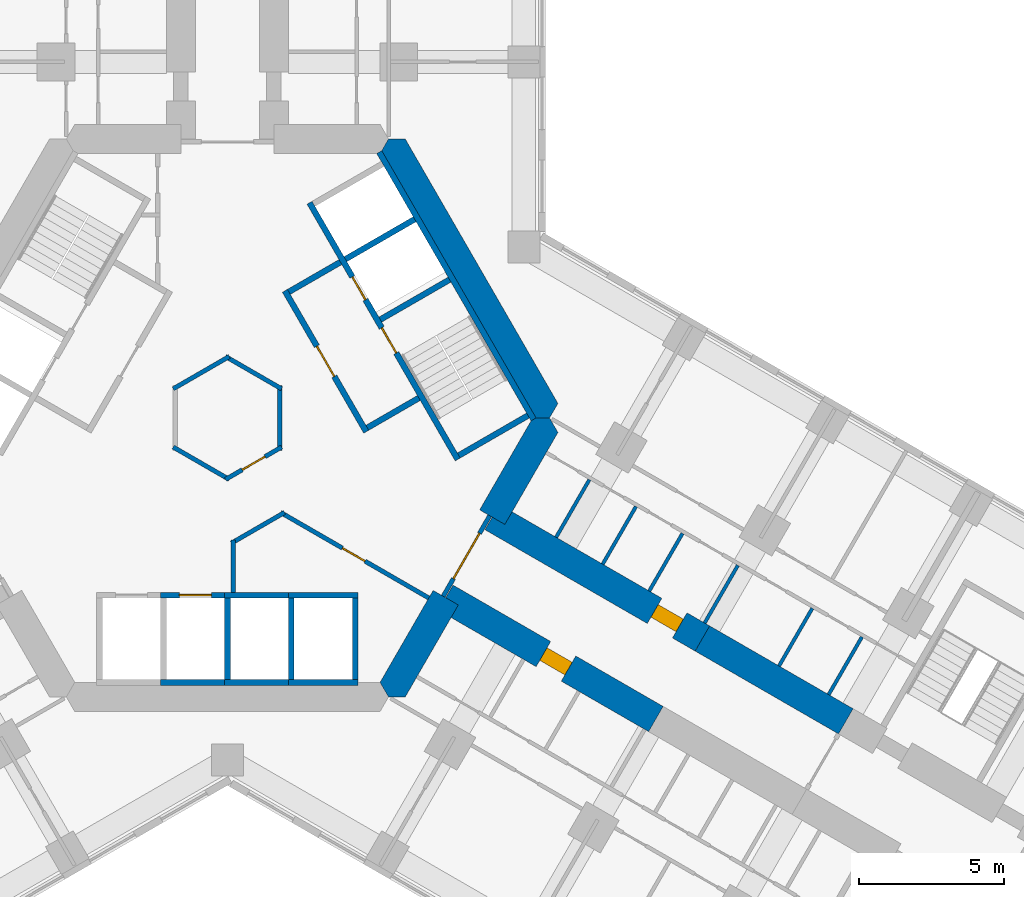
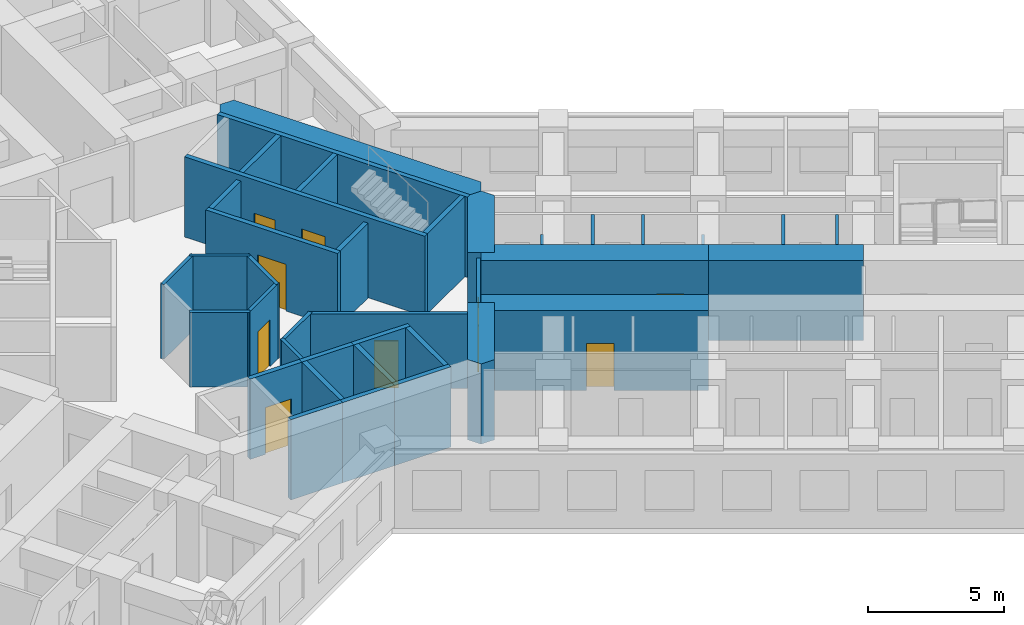
# One storey, part 15 of 21: 38 walls, 9 doors, 9 openings.
"""IFC4 building model written with IfcOpenShell, lengths in metres."""

from ifc_helpers import new_model, si_unit, direction, frame, frame_2d, origin, place, context, subcontext, project, spatial, polyline, rectangle, outline, extrude, material, layer, layer_set, type_object, element, fill, save


model = new_model("IFC4")

# Units and contexts
model_context = context("Model", 3, precision=1e-05, world=origin(), true_north=direction((0.0, 1.0)))
body_context = subcontext(model_context, "Body", "Model", "MODEL_VIEW")
ifc_project = project(units=[si_unit("LENGTHUNIT", "METRE"), si_unit("AREAUNIT", "SQUARE_METRE"), si_unit("VOLUMEUNIT", "CUBIC_METRE"), si_unit("PLANEANGLEUNIT", "RADIAN"), si_unit("MASSUNIT", "GRAM", prefix="KILO")], contexts=[model_context])

# Site, building, storey
site_placement = place(None, origin())
site = spatial("IfcSite", under=ifc_project, at=site_placement, CompositionType="ELEMENT")
building_placement = place(site_placement, origin())
building = spatial("IfcBuilding", under=site, at=building_placement, Name="Kosmar Iwan School Tower", CompositionType="ELEMENT")
storey_placement = place(building_placement, frame((0.0, 0.0, 43.0)))
storey = spatial("IfcBuildingStorey", under=building, at=storey_placement, Name="L09", CompositionType="ELEMENT", Elevation=43.0)

# Wall, opening, door
ifc_material_1 = material(Name="Gypsum board on steel studs, fire-rated", Category="steel")
ifc_layer_1 = layer(ifc_material_1, 0.14990234375)
ifc_layer_set_1 = layer_set([ifc_layer_1], Name="Core room partition 150")
wall_type_1 = type_object("IfcWallType", Name="Core room partition 150", PredefinedType="PARTITIONING", material=ifc_layer_set_1)
wall_1_placement = place(storey_placement, frame((1.864990234375, -1.001708984375, 0.0), z_axis=(0.0, 0.0, 1.0), x_axis=(-0.866023215828, -0.500003789632, 0.0)))
wall_1 = element("IfcWall", 1, at=wall_1_placement, inside=storey, type_object=wall_type_1, Name="Core room partition L09-CW4", PredefinedType="PARTITIONING", context=body_context, shape_type="SweptSolid", body=[
    extrude(rectangle(XDim=2.228515625, YDim=0.14990234375, at=frame_2d((1.1142578125, 0.0))), origin(), (0.0, 0.0, 1.0), 3.35009765625),
])
opening_1_placement = place(wall_1_placement, frame((0.6640625, 0.0, 0.0)))
opening_1 = element("IfcOpeningElement", 2, at=opening_1_placement, cuts=wall_1, Name="Opening D14", PredefinedType="OPENING", context=body_context, shape_type="SweptSolid", body=[
    extrude(rectangle(XDim=0.89990234375, YDim=2.10009765625, at=frame_2d((0.449951171875, 1.050048828125))), frame((0.0, 0.0869140625, 0.0), z_axis=(0.0, -1.0, 0.0), x_axis=(1.0, 0.0, 0.0)), (0.0, 0.0, 1.0), 0.173828125),
])
ifc_material_2 = material(Name="Timber fire door in steel frame", Category="steel")
door_type_1 = type_object("IfcDoorType", Name="Core room door 900x2100", OperationType="SINGLE_SWING_LEFT", PredefinedType="DOOR", material=ifc_material_2)
door_1_placement = place(opening_1_placement, origin())
door_1 = element("IfcDoor", 3, at=door_1_placement, inside=storey, type_object=door_type_1, Name="Pram and buggy store door L09 3", OperationType="SINGLE_SWING_RIGHT", OverallHeight=2.10009765625, OverallWidth=0.89990234375, PredefinedType="DOOR", context=body_context, shape_type="SweptSolid", body=[
    extrude(rectangle(XDim=0.89990234375, YDim=2.10009765625, at=frame_2d((0.449951171875, 1.050048828125))), frame((0.0, 0.02490234375, 0.0), z_axis=(0.0, -1.0, 0.0), x_axis=(1.0, 0.0, 0.0)), (0.0, 0.0, 1.0), 0.050048828125),
])
fill(opening_1, door_1)

# Walls
for number, where, z_axis, x_axis, name in (
    (4, (0.06494140625, -2.115966796875, 0.0), (0.0, 0.0, 1.0), (-0.866023215828, 0.500003789632, 0.0), "Core room partition L09-CW5"),
    (5, (-1.864990234375, 1.001708984375, 0.0), (0.0, 0.0, 1.0), (0.866023215828, 0.500003789632, 0.0), "Core room partition L09-CW7"),
    (6, (-0.06494140625, 2.115966796875, 0.0), (0.0, 0.0, 1.0), (0.866023215828, -0.500003789632, 0.0), "Core room partition L09-CW8"),
    (7, (1.800048828125, 1.1142578125, 0.0), (0.0, 0.0, 1.0), (0.0, -1.0, 0.0), "Core room partition L09-CW9"),
):
    element("IfcWall", number, at=place(storey_placement, frame(where, z_axis=z_axis, x_axis=x_axis)), inside=storey, type_object=wall_type_1, Name=name, PredefinedType="PARTITIONING", context=body_context, shape_type="SweptSolid", body=[
        extrude(rectangle(XDim=2.228515625, YDim=0.14990234375, at=frame_2d((1.1142578125, 0.0))), origin(), (0.0, 0.0, 1.0), 3.35009765625),
    ])
wall_2_placement = place(storey_placement, frame((0.199951171875, -6.0048828125, 0.0), z_axis=(0.0, 0.0, 1.0), x_axis=(0.0, 1.0, 0.0)))
element("IfcWall", 8, at=wall_2_placement, inside=storey, type_object=wall_type_1, Name="Core room partition L09-CW10", PredefinedType="PARTITIONING", context=body_context, shape_type="SweptSolid", body=[
    extrude(rectangle(XDim=1.807373046875, YDim=0.14990234375, at=frame_2d((0.90380859375, 0.0))), origin(), (0.0, 0.0, 1.0), 3.35009765625),
])
wall_3_placement = place(storey_placement, frame((0.135009765625, -4.309814453125, 0.0), z_axis=(0.0, 0.0, 1.0), x_axis=(0.866037425094, 0.499979177903, 0.0)))
element("IfcWall", 9, at=wall_3_placement, inside=storey, type_object=wall_type_1, Name="Core room partition L09-CW11", PredefinedType="PARTITIONING", context=body_context, shape_type="SweptSolid", body=[
    extrude(rectangle(XDim=2.11279296875, YDim=0.14990234375, at=frame_2d((1.056396484375, 0.0))), origin(), (0.0, 0.0, 1.0), 3.35009765625),
])

# Wall, opening, door
wall_4_placement = place(storey_placement, frame((1.8349609375, -3.25341796875, 0.0), z_axis=(0.0, 0.0, 1.0), x_axis=(0.866025981722, -0.499998998981, 0.0)))
wall_4 = element("IfcWall", 10, at=wall_4_placement, inside=storey, type_object=wall_type_1, Name="Core room partition L09-CW12", PredefinedType="PARTITIONING", context=body_context, shape_type="SweptSolid", body=[
    extrude(rectangle(XDim=5.88427734375, YDim=0.14990234375, at=frame_2d((2.942138671875, 0.0))), origin(), (0.0, 0.0, 1.0), 3.35009765625),
])
opening_2_placement = place(wall_4_placement, frame((2.449951171875, 0.0, 0.0)))
opening_2 = element("IfcOpeningElement", 11, at=opening_2_placement, cuts=wall_4, Name="Opening D14", PredefinedType="OPENING", context=body_context, shape_type="SweptSolid", body=[
    extrude(rectangle(XDim=0.89990234375, YDim=2.10009765625, at=frame_2d((0.449951171875, 1.050048828125))), frame((0.0, 0.0869140625, 0.0), z_axis=(0.0, -1.0, 0.0), x_axis=(1.0, 0.0, 0.0)), (0.0, 0.0, 1.0), 0.173828125),
])
door_2_placement = place(opening_2_placement, origin())
door_2 = element("IfcDoor", 12, at=door_2_placement, inside=storey, type_object=door_type_1, Name="Bicycle repair room door L09 4", OperationType="SINGLE_SWING_LEFT", OverallHeight=2.10009765625, OverallWidth=0.89990234375, PredefinedType="DOOR", context=body_context, shape_type="SweptSolid", body=[
    extrude(rectangle(XDim=0.89990234375, YDim=2.10009765625, at=frame_2d((0.449951171875, 1.050048828125))), frame((0.0, 0.02490234375, 0.0), z_axis=(0.0, -1.0, 0.0), x_axis=(1.0, 0.0, 0.0)), (0.0, 0.0, 1.0), 0.050048828125),
])
fill(opening_2, door_2)

# Walls
ifc_material_3 = material(Name="Concrete C50/60", Category="concrete")
ifc_layer_2 = layer(ifc_material_3, 1.0)
ifc_layer_set_2 = layer_set([ifc_layer_2], Name="Core wall 1000")
wall_type_2 = type_object("IfcWallType", Name="Core wall 1000", PredefinedType="SHEAR", material=ifc_layer_set_2)
wall_5_placement = place(storey_placement, origin())
element("IfcWall", 13, at=wall_5_placement, inside=storey, type_object=wall_type_2, Name="Core wall F030", PredefinedType="SHEAR", context=body_context, shape_type="SweptSolid", body=[
    extrude(outline(polyline([(10.5078125, 0.0), (11.085205078125, 0.0), (11.373779296875, 0.5), (6.119873046875, 9.60009765625), (5.54248046875, 9.60009765625), (5.25390625, 9.10009765625), (10.5078125, 0.0)])), origin(), (0.0, 0.0, 1.0), 3.60009765625),
])
wall_6_placement = place(storey_placement, origin())
element("IfcWall", 14, at=wall_6_placement, inside=storey, type_object=wall_type_2, Name="Core wall F330a", PredefinedType="SHEAR", context=body_context, shape_type="SweptSolid", body=[
    extrude(outline(polyline([(5.54248046875, -9.60009765625), (6.119873046875, -9.60009765625), (7.94677734375, -6.435546875), (7.080810546875, -5.935546875), (5.25390625, -9.10009765625), (5.54248046875, -9.60009765625)])), origin(), (0.0, 0.0, 1.0), 3.60009765625),
])
wall_7_placement = place(storey_placement, origin())
element("IfcWall", 15, at=wall_7_placement, inside=storey, type_object=wall_type_2, Name="Core wall F330b", PredefinedType="SHEAR", context=body_context, shape_type="SweptSolid", body=[
    extrude(outline(polyline([(9.546875, -3.664306640625), (11.373779296875, -0.5), (11.085205078125, 0.0), (10.5078125, 0.0), (8.680908203125, -3.164306640625), (9.546875, -3.664306640625)])), origin(), (0.0, 0.0, 1.0), 3.60009765625),
])

# Wall, opening, door
ifc_material_4 = material(Name="Concrete C50/60", Category="concrete")
ifc_layer_3 = layer(ifc_material_4, 1.0)
ifc_layer_set_3 = layer_set([ifc_layer_3], Name="Corridor buttress wall 1000")
wall_type_3 = type_object("IfcWallType", Name="Corridor buttress wall 1000", PredefinedType="SHEAR", material=ifc_layer_set_3)
wall_8_placement = place(storey_placement, frame((9.11376953125, -3.414306640625, 0.0), z_axis=(0.0, 0.0, 1.0), x_axis=(0.866026859388, -0.499997478812, 0.0)))
wall_8 = element("IfcWall", 16, at=wall_8_placement, inside=storey, type_object=wall_type_3, Name="Corridor wall CL", PredefinedType="SHEAR", context=body_context, shape_type="SweptSolid", body=[
    extrude(rectangle(XDim=8.35009765625, YDim=1.0, at=frame_2d((4.175048828125, 0.0))), origin(), (0.0, 0.0, 1.0), 3.60009765625),
])
opening_3_placement = place(wall_8_placement, frame((6.449951171875, 0.0, 0.0)))
opening_3 = element("IfcOpeningElement", 17, at=opening_3_placement, cuts=wall_8, Name="Opening D1", PredefinedType="OPENING", context=body_context, shape_type="SweptSolid", body=[
    extrude(rectangle(XDim=1.0, YDim=2.10009765625, at=frame_2d((0.5, 1.050048828125))), frame((0.0, 0.511962890625, 0.0), z_axis=(0.0, -1.0, 0.0), x_axis=(1.0, 0.0, 0.0)), (0.0, 0.0, 1.0), 1.02392578125),
])
ifc_material_5 = material(Name="Timber fire door in steel frame", Category="steel")
door_type_2 = type_object("IfcDoorType", Name="Flat entrance door 1000x2100", OperationType="SINGLE_SWING_LEFT", PredefinedType="DOOR", material=ifc_material_5)
door_3_placement = place(opening_3_placement, origin())
door_3 = element("IfcDoor", 18, at=door_3_placement, inside=storey, type_object=door_type_2, Name="Flat L09-CL1 entrance door", OperationType="SINGLE_SWING_LEFT", OverallHeight=2.10009765625, OverallWidth=1.0, PredefinedType="DOOR", context=body_context, shape_type="SweptSolid", body=[
    extrude(rectangle(XDim=1.0, YDim=2.10009765625, at=frame_2d((0.5, 1.050048828125))), frame((0.0, 0.25, 0.0), z_axis=(0.0, -1.0, 0.0), x_axis=(1.0, 0.0, 0.0)), (0.0, 0.0, 1.0), 0.5),
])
fill(opening_3, door_3)

# Wall
wall_9_placement = place(storey_placement, frame((16.34521484375, -7.58935546875, 0.0), z_axis=(0.0, 0.0, 1.0), x_axis=(0.866015111908, -0.50001782563, 0.0)))
element("IfcWall", 19, at=wall_9_placement, inside=storey, type_object=wall_type_3, Name="Corridor wall CL bay 2", PredefinedType="SHEAR", context=body_context, shape_type="SweptSolid", body=[
    extrude(rectangle(XDim=5.699951171875, YDim=1.0, at=frame_2d((2.85009765625, 0.0))), origin(), (0.0, 0.0, 1.0), 3.60009765625),
])

# Wall, opening, door
wall_10_placement = place(storey_placement, frame((7.513916015625, -6.185546875, 0.0), z_axis=(0.0, 0.0, 1.0), x_axis=(0.866019549707, -0.500010139422, 0.0)))
wall_10 = element("IfcWall", 20, at=wall_10_placement, inside=storey, type_object=wall_type_3, Name="Corridor wall CR", PredefinedType="SHEAR", context=body_context, shape_type="SweptSolid", body=[
    extrude(rectangle(XDim=8.349853515625, YDim=1.0, at=frame_2d((4.1748046875, 0.0))), origin(), (0.0, 0.0, 1.0), 3.60009765625),
])
opening_4_placement = place(wall_10_placement, frame((3.8798828125, 0.0, 0.0)))
opening_4 = element("IfcOpeningElement", 21, at=opening_4_placement, cuts=wall_10, Name="Opening D1", PredefinedType="OPENING", context=body_context, shape_type="SweptSolid", body=[
    extrude(rectangle(XDim=1.0, YDim=2.10009765625, at=frame_2d((0.5, 1.050048828125))), frame((0.0, 0.511962890625, 0.0), z_axis=(0.0, -1.0, 0.0), x_axis=(1.0, 0.0, 0.0)), (0.0, 0.0, 1.0), 1.02392578125),
])
door_4_placement = place(opening_4_placement, origin())
door_4 = element("IfcDoor", 22, at=door_4_placement, inside=storey, type_object=door_type_2, Name="Flat L09-CR1 entrance door", OperationType="SINGLE_SWING_RIGHT", OverallHeight=2.10009765625, OverallWidth=1.0, PredefinedType="DOOR", context=body_context, shape_type="SweptSolid", body=[
    extrude(rectangle(XDim=1.0, YDim=2.10009765625, at=frame_2d((0.5, 1.050048828125))), frame((0.0, 0.25, 0.0), z_axis=(0.0, -1.0, 0.0), x_axis=(1.0, 0.0, 0.0)), (0.0, 0.0, 1.0), 0.5),
])
fill(opening_4, door_4)

ifc_material_6 = material(Name="Steel framed glazed screen", Category="steel")
ifc_layer_4 = layer(ifc_material_6, 0.14990234375)
ifc_layer_set_4 = layer_set([ifc_layer_4], Name="Corridor screen wall 150")
wall_type_4 = type_object("IfcWallType", Name="Corridor screen wall 150", PredefinedType="PARTITIONING", material=ifc_layer_set_4)
wall_11_placement = place(storey_placement, frame((7.42724609375, -6.1357421875, 0.0), z_axis=(0.0, 0.0, 1.0), x_axis=(0.499995408039, 0.866028054938, 0.0)))
wall_11 = element("IfcWall", 23, at=wall_11_placement, inside=storey, type_object=wall_type_4, Name="Corridor screen C L09", PredefinedType="PARTITIONING", context=body_context, shape_type="SweptSolid", body=[
    extrude(rectangle(XDim=3.2001953125, YDim=0.14990234375, at=frame_2d((1.60009765625, 0.0))), origin(), (0.0, 0.0, 1.0), 3.35009765625),
])
opening_5_placement = place(wall_11_placement, frame((0.699951171875, 0.0, 0.0)))
opening_5 = element("IfcOpeningElement", 24, at=opening_5_placement, cuts=wall_11, Name="Opening D9", PredefinedType="OPENING", context=body_context, shape_type="SweptSolid", body=[
    extrude(rectangle(XDim=1.800048828125, YDim=2.10009765625, at=frame_2d((0.89990234375, 1.050048828125))), frame((0.0, 0.0869140625, 0.0), z_axis=(0.0, -1.0, 0.0), x_axis=(1.0, 0.0, 0.0)), (0.0, 0.0, 1.0), 0.173828125),
])
ifc_material_7 = material(Name="Steel framed glazed smoke door", Category="steel")
door_type_3 = type_object("IfcDoorType", Name="Corridor smoke door pair 1800x2100", OperationType="DOUBLE_DOOR_DOUBLE_SWING", PredefinedType="DOOR", material=ifc_material_7)
door_5_placement = place(opening_5_placement, origin())
door_5 = element("IfcDoor", 25, at=door_5_placement, inside=storey, type_object=door_type_3, Name="Corridor doors C L09", OperationType="DOUBLE_DOOR_DOUBLE_SWING", OverallHeight=2.10009765625, OverallWidth=1.800048828125, PredefinedType="DOOR", context=body_context, shape_type="SweptSolid", body=[
    extrude(rectangle(XDim=1.800048828125, YDim=2.10009765625, at=frame_2d((0.89990234375, 1.050048828125))), frame((0.0, 0.02490234375, 0.0), z_axis=(0.0, -1.0, 0.0), x_axis=(1.0, 0.0, 0.0)), (0.0, 0.0, 1.0), 0.050048828125),
])
fill(opening_5, door_5)

# Walls
ifc_material_8 = material(Name="Gypsum board on steel studs", Category="steel")
ifc_layer_5 = layer(ifc_material_8, 0.1201171875)
ifc_layer_set_5 = layer_set([ifc_layer_5], Name="Dwelling partition 120")
wall_type_5 = type_object("IfcWallType", Name="Dwelling partition 120", PredefinedType="PARTITIONING", material=ifc_layer_set_5)
wall_12_placement = place(storey_placement, frame((11.3125, -4.1064453125, 0.0), z_axis=(0.0, 0.0, 1.0), x_axis=(0.499968531483, 0.866043571379, 0.0)))
element("IfcWall", 26, at=wall_12_placement, inside=storey, type_object=wall_type_5, Name="Partition L09-CL1-Y1", PredefinedType="PARTITIONING", context=body_context, shape_type="SweptSolid", body=[
    extrude(rectangle(XDim=2.290283203125, YDim=0.1201171875, at=frame_2d((1.14501953125, 0.0))), origin(), (0.0, 0.0, 1.0), 2.449951171875),
])
for number, where, z_axis, x_axis, name in (
    (27, (12.91455078125, -5.03125, 0.0), (0.0, 0.0, 1.0), (0.500014693593, 0.866016920268, 0.0), "Partition L09-CL1-Y2"),
    (28, (14.5166015625, -5.956298828125, 0.0), (0.0, 0.0, 1.0), (0.500014693593, 0.866016920268, 0.0), "Partition L09-CL1-Y3"),
):
    element("IfcWall", number, at=place(storey_placement, frame(where, z_axis=z_axis, x_axis=x_axis)), inside=storey, type_object=wall_type_5, Name=name, PredefinedType="PARTITIONING", context=body_context, shape_type="SweptSolid", body=[
        extrude(rectangle(XDim=2.2900390625, YDim=0.1201171875, at=frame_2d((1.14501953125, 0.0))), origin(), (0.0, 0.0, 1.0), 3.35009765625),
    ])
wall_13_placement = place(storey_placement, frame((16.421875, -7.056396484375, 0.0), z_axis=(0.0, 0.0, 1.0), x_axis=(0.500014693593, 0.866016920268, 0.0)))
element("IfcWall", 29, at=wall_13_placement, inside=storey, type_object=wall_type_5, Name="Partition L09-CL1-Y4", PredefinedType="PARTITIONING", context=body_context, shape_type="SweptSolid", body=[
    extrude(rectangle(XDim=2.2900390625, YDim=0.1201171875, at=frame_2d((1.14501953125, 0.0))), origin(), (0.0, 0.0, 1.0), 2.449951171875),
])
wall_14_placement = place(storey_placement, frame((18.98291015625, -8.534912109375, 0.0), z_axis=(0.0, 0.0, 1.0), x_axis=(0.500014693593, 0.866016920268, 0.0)))
element("IfcWall", 30, at=wall_14_placement, inside=storey, type_object=wall_type_5, Name="Partition L09-CL1-Y5", PredefinedType="PARTITIONING", context=body_context, shape_type="SweptSolid", body=[
    extrude(rectangle(XDim=2.2900390625, YDim=0.1201171875, at=frame_2d((1.14501953125, 0.0))), origin(), (0.0, 0.0, 1.0), 3.35009765625),
])
wall_15_placement = place(storey_placement, frame((20.690185546875, -9.520751953125, 0.0), z_axis=(0.0, 0.0, 1.0), x_axis=(0.499968531483, 0.866043571379, 0.0)))
element("IfcWall", 31, at=wall_15_placement, inside=storey, type_object=wall_type_5, Name="Partition L09-CL1-Y6", PredefinedType="PARTITIONING", context=body_context, shape_type="SweptSolid", body=[
    extrude(rectangle(XDim=2.290283203125, YDim=0.1201171875, at=frame_2d((1.14501953125, 0.0))), origin(), (0.0, 0.0, 1.0), 3.35009765625),
])

# Wall, opening, door
ifc_material_9 = material(Name="Concrete block masonry", Category="masonry")
ifc_layer_6 = layer(ifc_material_9, 0.199951171875)
ifc_layer_set_6 = layer_set([ifc_layer_6], Name="Fire lobby wall 200")
wall_type_6 = type_object("IfcWallType", Name="Fire lobby wall 200", PredefinedType="PARTITIONING", material=ifc_layer_set_6)
wall_16_placement = place(storey_placement, frame((4.777587890625, -0.474853515625, 0.0), z_axis=(0.0, 0.0, 1.0), x_axis=(-0.500016814911, 0.866015695474, 0.0)))
wall_16 = element("IfcWall", 32, at=wall_16_placement, inside=storey, type_object=wall_type_6, Name="Firefighting lobby wall ST1", PredefinedType="PARTITIONING", context=body_context, shape_type="SweptSolid", body=[
    extrude(rectangle(XDim=5.599853515625, YDim=0.199951171875, at=frame_2d((2.7998046875, 0.0))), origin(), (0.0, 0.0, 1.0), 3.35009765625),
])
opening_6_placement = place(wall_16_placement, frame((2.199951171875, 0.0, 0.0)))
opening_6 = element("IfcOpeningElement", 33, at=opening_6_placement, cuts=wall_16, Name="Opening D7", PredefinedType="OPENING", context=body_context, shape_type="SweptSolid", body=[
    extrude(rectangle(XDim=1.199951171875, YDim=2.10009765625, at=frame_2d((0.60009765625, 1.050048828125))), frame((0.0, 0.112060546875, 0.0), z_axis=(0.0, -1.0, 0.0), x_axis=(1.0, 0.0, 0.0)), (0.0, 0.0, 1.0), 0.223876953125),
])
ifc_material_10 = material(Name="Steel fire door", Category="steel")
door_type_4 = type_object("IfcDoorType", Name="Fire lobby door 1200x2100", OperationType="SINGLE_SWING_LEFT", PredefinedType="DOOR", material=ifc_material_10)
door_6_placement = place(opening_6_placement, origin())
door_6 = element("IfcDoor", 34, at=door_6_placement, inside=storey, type_object=door_type_4, Name="Firefighting lobby door ST1 L09", OperationType="SINGLE_SWING_RIGHT", OverallHeight=2.10009765625, OverallWidth=1.199951171875, PredefinedType="DOOR", context=body_context, shape_type="SweptSolid", body=[
    extrude(rectangle(XDim=1.199951171875, YDim=2.10009765625, at=frame_2d((0.60009765625, 1.050048828125))), frame((0.0, 0.02490234375, 0.0), z_axis=(0.0, -1.0, 0.0), x_axis=(1.0, 0.0, 0.0)), (0.0, 0.0, 1.0), 0.050048828125),
])
fill(opening_6, door_6)

# Walls
wall_17_placement = place(storey_placement, frame((4.814208984375, -0.33837890625, 0.0), z_axis=(0.0, 0.0, 1.0), x_axis=(0.865969381856, 0.500097020274, 0.0)))
element("IfcWall", 35, at=wall_17_placement, inside=storey, type_object=wall_type_6, Name="Firefighting lobby wall ST1", PredefinedType="PARTITIONING", context=body_context, shape_type="SweptSolid", body=[
    extrude(rectangle(XDim=2.0498046875, YDim=0.199951171875, at=frame_2d((1.02490234375, 0.0))), origin(), (0.0, 0.0, 1.0), 3.35009765625),
])
wall_18_placement = place(storey_placement, frame((2.114013671875, 4.33837890625, 0.0), z_axis=(0.0, 0.0, 1.0), x_axis=(0.866050731258, 0.499956128963, 0.0)))
element("IfcWall", 36, at=wall_18_placement, inside=storey, type_object=wall_type_6, Name="Firefighting lobby wall ST1", PredefinedType="PARTITIONING", context=body_context, shape_type="SweptSolid", body=[
    extrude(rectangle(XDim=2.050048828125, YDim=0.199951171875, at=frame_2d((1.02490234375, 0.0))), origin(), (0.0, 0.0, 1.0), 3.35009765625),
])

# Wall, openings, doors
ifc_material_11 = material(Name="Concrete C50/60", Category="concrete")
ifc_layer_7 = layer(ifc_material_11, 0.199951171875)
ifc_layer_set_7 = layer_set([ifc_layer_7], Name="Lift shaft wall 200")
wall_type_7 = type_object("IfcWallType", Name="Lift shaft wall 200", PredefinedType="SHEAR", material=ifc_layer_set_7)
wall_19_placement = place(storey_placement, frame((7.926025390625, -1.42822265625, 0.0), z_axis=(0.0, 0.0, 1.0), x_axis=(-0.499998023675, 0.866026544813, 0.0)))
wall_19 = element("IfcWall", 37, at=wall_19_placement, inside=storey, type_object=wall_type_7, Name="Lift and stair front wall AC", PredefinedType="SHEAR", context=body_context, shape_type="SweptSolid", body=[
    extrude(rectangle(XDim=10.19970703125, YDim=0.199951171875, at=frame_2d((5.099853515625, 0.0))), origin(), (0.0, 0.0, 1.0), 3.60009765625),
])
opening_7_placement = place(wall_19_placement, frame((6.35009765625, 0.0, 0.0)))
opening_7 = element("IfcOpeningElement", 38, at=opening_7_placement, cuts=wall_19, Name="Opening LD2", PredefinedType="OPENING", context=body_context, shape_type="SweptSolid", body=[
    extrude(rectangle(XDim=0.89990234375, YDim=2.10009765625, at=frame_2d((0.449951171875, 1.050048828125))), frame((0.0, 0.112060546875, 0.0), z_axis=(0.0, -1.0, 0.0), x_axis=(1.0, 0.0, 0.0)), (0.0, 0.0, 1.0), 0.223876953125),
])
opening_8_placement = place(wall_19_placement, frame((4.22998046875, 0.0, 0.0)))
opening_8 = element("IfcOpeningElement", 39, at=opening_8_placement, cuts=wall_19, Name="Opening D6", PredefinedType="OPENING", context=body_context, shape_type="SweptSolid", body=[
    extrude(rectangle(XDim=1.0, YDim=2.10009765625, at=frame_2d((0.5, 1.050048828125))), frame((0.0, 0.112060546875, 0.0), z_axis=(0.0, -1.0, 0.0), x_axis=(1.0, 0.0, 0.0)), (0.0, 0.0, 1.0), 0.223876953125),
])
ifc_material_12 = material(Name="Stainless steel sliding lift door", Category="steel")
door_type_5 = type_object("IfcDoorType", Name="Firefighting lift landing door 900x2100", OperationType="SLIDING_TO_LEFT", PredefinedType="DOOR", material=ifc_material_12)
door_7_placement = place(opening_7_placement, origin())
door_7 = element("IfcDoor", 40, at=door_7_placement, inside=storey, type_object=door_type_5, Name="Lift FF1 landing door L09", OperationType="SLIDING_TO_LEFT", OverallHeight=2.10009765625, OverallWidth=0.89990234375, PredefinedType="DOOR", context=body_context, shape_type="SweptSolid", body=[
    extrude(rectangle(XDim=0.89990234375, YDim=2.10009765625, at=frame_2d((0.449951171875, 1.050048828125))), frame((0.0, 0.02490234375, 0.0), z_axis=(0.0, -1.0, 0.0), x_axis=(1.0, 0.0, 0.0)), (0.0, 0.0, 1.0), 0.050048828125),
])
fill(opening_7, door_7)
ifc_material_13 = material(Name="Steel fire door", Category="steel")
door_type_6 = type_object("IfcDoorType", Name="Stair door 1000x2100", OperationType="SINGLE_SWING_LEFT", PredefinedType="DOOR", material=ifc_material_13)
door_8_placement = place(opening_8_placement, origin())
door_8 = element("IfcDoor", 41, at=door_8_placement, inside=storey, type_object=door_type_6, Name="Stair ST1 door L09", OperationType="SINGLE_SWING_LEFT", OverallHeight=2.10009765625, OverallWidth=1.0, PredefinedType="DOOR", context=body_context, shape_type="SweptSolid", body=[
    extrude(rectangle(XDim=1.0, YDim=2.10009765625, at=frame_2d((0.5, 1.050048828125))), frame((0.0, 0.02490234375, 0.0), z_axis=(0.0, -1.0, 0.0), x_axis=(1.0, 0.0, 0.0)), (0.0, 0.0, 1.0), 0.050048828125),
])
fill(opening_8, door_8)

# Walls
wall_20_placement = place(storey_placement, frame((10.53662109375, -0.050048828125, 0.0), z_axis=(0.0, 0.0, 1.0), x_axis=(-0.499994998079, 0.866028291626, 0.0)))
element("IfcWall", 42, at=wall_20_placement, inside=storey, type_object=wall_type_7, Name="Lift and stair back wall AC", PredefinedType="SHEAR", context=body_context, shape_type="SweptSolid", body=[
    extrude(rectangle(XDim=10.623046875, YDim=0.199951171875, at=frame_2d((5.3115234375, 0.0))), origin(), (0.0, 0.0, 1.0), 3.60009765625),
])
wall_21_placement = place(storey_placement, frame((4.062744140625, 5.46337890625, 0.0), z_axis=(0.0, 0.0, 1.0), x_axis=(0.866027397988, 0.499996545922, 0.0)))
element("IfcWall", 43, at=wall_21_placement, inside=storey, type_object=wall_type_7, Name="Lift shaft wall AC 1", PredefinedType="SHEAR", context=body_context, shape_type="SweptSolid", body=[
    extrude(rectangle(XDim=2.75, YDim=0.199951171875, at=frame_2d((1.375, 0.0))), origin(), (0.0, 0.0, 1.0), 3.60009765625),
])

# Wall, opening, door
wall_22_placement = place(storey_placement, frame((-2.300048828125, -6.10009765625, 0.0), z_axis=(0.0, 0.0, 1.0), x_axis=(1.0, 0.0, 0.0)))
wall_22 = element("IfcWall", 44, at=wall_22_placement, inside=storey, type_object=wall_type_7, Name="Lift and stair front wall BC", PredefinedType="SHEAR", context=body_context, shape_type="SweptSolid", body=[
    extrude(rectangle(XDim=2.199951171875, YDim=0.199951171875, at=frame_2d((1.10009765625, 0.0))), origin(), (0.0, 0.0, 1.0), 3.60009765625),
])
opening_9_placement = place(wall_22_placement, frame((0.64990234375, 0.0, 0.0)))
opening_9 = element("IfcOpeningElement", 45, at=opening_9_placement, cuts=wall_22, Name="Opening LD1", PredefinedType="OPENING", context=body_context, shape_type="SweptSolid", body=[
    extrude(rectangle(XDim=1.10009765625, YDim=2.10009765625, at=frame_2d((0.550048828125, 1.050048828125))), frame((0.0, 0.112060546875, 0.0), z_axis=(0.0, -1.0, 0.0), x_axis=(1.0, 0.0, 0.0)), (0.0, 0.0, 1.0), 0.223876953125),
])
ifc_material_14 = material(Name="Stainless steel sliding lift door", Category="steel")
door_type_7 = type_object("IfcDoorType", Name="Lift landing door 1100x2100", OperationType="SLIDING_TO_LEFT", PredefinedType="DOOR", material=ifc_material_14)
door_9_placement = place(opening_9_placement, origin())
door_9 = element("IfcDoor", 46, at=door_9_placement, inside=storey, type_object=door_type_7, Name="Lift PL2 landing door L09", OperationType="SLIDING_TO_LEFT", OverallHeight=2.10009765625, OverallWidth=1.10009765625, PredefinedType="DOOR", context=body_context, shape_type="SweptSolid", body=[
    extrude(rectangle(XDim=1.10009765625, YDim=2.10009765625, at=frame_2d((0.550048828125, 1.050048828125))), frame((0.0, 0.02490234375, 0.0), z_axis=(0.0, -1.0, 0.0), x_axis=(1.0, 0.0, 0.0)), (0.0, 0.0, 1.0), 0.050048828125),
])
fill(opening_9, door_9)

# Walls
wall_23_placement = place(storey_placement, frame((-2.300048828125, -9.10009765625, 0.0), z_axis=(0.0, 0.0, 1.0), x_axis=(1.0, 0.0, 0.0)))
element("IfcWall", 47, at=wall_23_placement, inside=storey, type_object=wall_type_7, Name="Lift and stair back wall BC", PredefinedType="SHEAR", context=body_context, shape_type="SweptSolid", body=[
    extrude(rectangle(XDim=2.199951171875, YDim=0.199951171875, at=frame_2d((1.10009765625, 0.0))), origin(), (0.0, 0.0, 1.0), 3.60009765625),
])
for number, where, z_axis, x_axis, name in (
    (48, (-0.10009765625, -6.10009765625, 0.0), (0.0, 0.0, 1.0), (1.0, 0.0, 0.0), "Lift and stair front wall BC"),
    (49, (-0.10009765625, -9.10009765625, 0.0), (0.0, 0.0, 1.0), (1.0, 0.0, 0.0), "Lift and stair back wall BC"),
):
    element("IfcWall", number, at=place(storey_placement, frame(where, z_axis=z_axis, x_axis=x_axis)), inside=storey, type_object=wall_type_7, Name=name, PredefinedType="SHEAR", context=body_context, shape_type="SweptSolid", body=[
        extrude(rectangle(XDim=2.2001953125, YDim=0.199951171875, at=frame_2d((1.10009765625, 0.0))), origin(), (0.0, 0.0, 1.0), 3.60009765625),
    ])
for number, where, z_axis, x_axis, name in (
    (50, (2.10009765625, -6.10009765625, 0.0), (0.0, 0.0, 1.0), (1.0, 0.0, 0.0), "Lift and stair front wall BC"),
    (51, (2.10009765625, -9.10009765625, 0.0), (0.0, 0.0, 1.0), (1.0, 0.0, 0.0), "Lift and stair back wall BC"),
):
    element("IfcWall", number, at=place(storey_placement, frame(where, z_axis=z_axis, x_axis=x_axis)), inside=storey, type_object=wall_type_7, Name=name, PredefinedType="SHEAR", context=body_context, shape_type="SweptSolid", body=[
        extrude(rectangle(XDim=2.39990234375, YDim=0.199951171875, at=frame_2d((1.199951171875, 0.0))), origin(), (0.0, 0.0, 1.0), 3.60009765625),
    ])
for number, where, z_axis, x_axis, name in (
    (52, (0.0, -6.199951171875, 0.0), (0.0, 0.0, 1.0), (0.0, -1.0, 0.0), "Lift shaft wall BC 2"),
    (53, (2.199951171875, -6.199951171875, 0.0), (0.0, 0.0, 1.0), (0.0, -1.0, 0.0), "Lift shaft wall BC 3"),
    (54, (4.39990234375, -6.199951171875, 0.0), (0.0, 0.0, 1.0), (0.0, -1.0, 0.0), "Lift shaft wall BC 4"),
):
    element("IfcWall", number, at=place(storey_placement, frame(where, z_axis=z_axis, x_axis=x_axis)), inside=storey, type_object=wall_type_7, Name=name, PredefinedType="SHEAR", context=body_context, shape_type="SweptSolid", body=[
        extrude(rectangle(XDim=2.800048828125, YDim=0.199951171875, at=frame_2d((1.39990234375, 0.0))), origin(), (0.0, 0.0, 1.0), 3.60009765625),
    ])
ifc_material_15 = material(Name="Concrete C50/60", Category="concrete")
ifc_layer_8 = layer(ifc_material_15, 0.199951171875)
ifc_layer_set_8 = layer_set([ifc_layer_8], Name="Stair enclosure wall 200")
wall_type_8 = type_object("IfcWallType", Name="Stair enclosure wall 200", PredefinedType="SHEAR", material=ifc_layer_set_8)
for number, where, z_axis, x_axis, name in (
    (55, (7.962646484375, -1.291748046875, 0.0), (0.0, 0.0, 1.0), (0.866027397988, 0.499996545922, 0.0), "Stair ST1 wall"),
    (56, (5.2626953125, 3.384765625, 0.0), (0.0, 0.0, 1.0), (0.866027397988, 0.499996545922, 0.0), "Stair ST1 wall"),
):
    element("IfcWall", number, at=place(storey_placement, frame(where, z_axis=z_axis, x_axis=x_axis)), inside=storey, type_object=wall_type_8, Name=name, PredefinedType="SHEAR", context=body_context, shape_type="SweptSolid", body=[
        extrude(rectangle(XDim=2.75, YDim=0.199951171875, at=frame_2d((1.375, 0.0))), origin(), (0.0, 0.0, 1.0), 3.60009765625),
    ])

save(model, "model.ifc")
